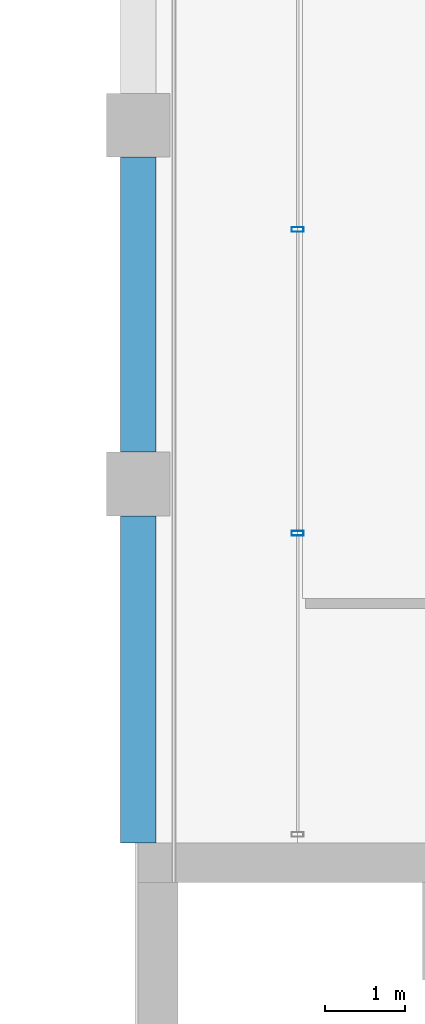
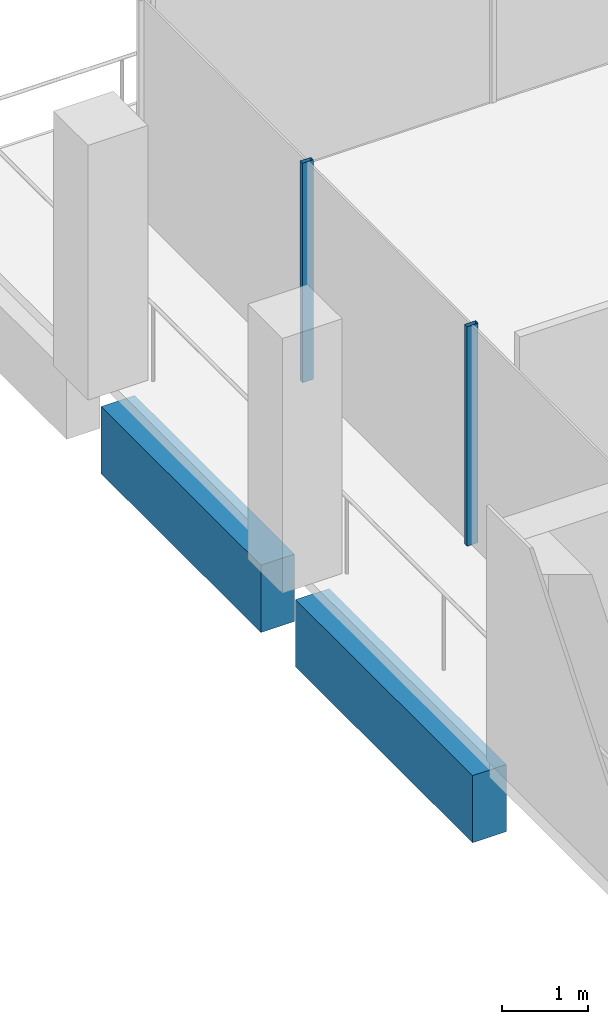
# One storey, part 20 of 30: 2 beams, 2 members, 1 element without a shape of its own.
"""IFC4 building model written with IfcOpenShell, lengths in metres."""

from ifc_helpers import new_model, si_unit, direction, frame, origin, origin_2d, place, context, subcontext, project, spatial, rectangle, hollow_rectangle, extrude, material, material_profile, profile_set, type_object, element, aggregate, save


model = new_model("IFC4")

# Units and contexts
model_context = context("Model", 3, precision=1e-05, world=origin(), true_north=direction((0.0, 1.0)))
body_context = subcontext(model_context, "Body", "Model", "MODEL_VIEW")
ifc_project = project(units=[si_unit("LENGTHUNIT", "METRE"), si_unit("AREAUNIT", "SQUARE_METRE"), si_unit("VOLUMEUNIT", "CUBIC_METRE"), si_unit("PLANEANGLEUNIT", "RADIAN"), si_unit("MASSUNIT", "GRAM", prefix="KILO")], contexts=[model_context])

# Site, building, storey
site_placement = place(None, origin())
site = spatial("IfcSite", under=ifc_project, at=site_placement, CompositionType="ELEMENT")
building_placement = place(site_placement, origin())
building = spatial("IfcBuilding", under=site, at=building_placement, Name="Altepetl Exchange Towers", CompositionType="ELEMENT")
storey_placement = place(building_placement, frame((0.0, 0.0, 235.199951171875)))
storey = spatial("IfcBuildingStorey", under=building, at=storey_placement, Name="L60", CompositionType="ELEMENT", Elevation=235.199951171875)

# Curtain wall, members
ifc_material_1 = material(Name="Aluminium 6063-T6 glazing", Category="aluminium")
curtain_wall_type = type_object("IfcCurtainWallType", Name="Loggia glazing system", PredefinedType="NOTDEFINED", material=ifc_material_1)
curtain_wall_placement = place(storey_placement, origin())
curtain_wall = element("IfcCurtainWall", 1, at=curtain_wall_placement, inside=storey, type_object=curtain_wall_type, Name="CW1 run", PredefinedType="NOTDEFINED")
ifc_material_2 = material(Name="Aluminium 6063-T6", Category="aluminium")
ifc_material_profile_1 = material_profile(ifc_material_2, hollow_rectangle(XDim=0.06005859375, YDim=0.14990234375, WallThickness=0.0029296875, at=origin_2d()), Name="Mullion 60x150 aluminium")
ifc_profile_set_1 = profile_set([ifc_material_profile_1], Name="Aluminium 6063-T6")
member_type = type_object("IfcMemberType", Name="Mullion 60x150 aluminium", PredefinedType="MULLION", material=ifc_profile_set_1)
member_1_placement = place(storey_placement, frame((42.5, 66.191650390625, 0.0), z_axis=(0.0, 0.0, 1.0), x_axis=(0.0, -1.0, 0.0)))
member_1 = element("IfcMember", 2, at=member_1_placement, type_object=member_type, Name="MU1 mullion", PredefinedType="MULLION", context=body_context, shape_type="SweptSolid", body=[
    extrude(hollow_rectangle(XDim=0.06005859375, YDim=0.14990234375, WallThickness=0.0029296875, at=origin_2d()), origin(), (0.0, 0.0, 1.0), 3.10009765625),
])
member_2_placement = place(storey_placement, frame((42.5, 62.38330078125, 0.0), z_axis=(0.0, 0.0, 1.0), x_axis=(0.0, -1.0, 0.0)))
member_2 = element("IfcMember", 3, at=member_2_placement, type_object=member_type, Name="MU1 mullion", PredefinedType="MULLION", context=body_context, shape_type="SweptSolid", body=[
    extrude(hollow_rectangle(XDim=0.06005859375, YDim=0.14990234375, WallThickness=0.0029296875, at=origin_2d()), origin(), (0.0, 0.0, 1.0), 3.10009765625),
])
aggregate(curtain_wall, [member_1, member_2])

# Beams
ifc_material_3 = material(Name="Concrete C50/60 precast with tezontle facing", Category="concrete")
ifc_material_profile_2 = material_profile(ifc_material_3, rectangle(XDim=0.449951171875, YDim=0.949951171875, at=origin_2d()), Name="450 x 950")
ifc_profile_set_2 = profile_set([ifc_material_profile_2], Name="Concrete C50/60 precast with tezontle facing")
beam_type = type_object("IfcBeamType", Name="Spandrel beam 450x950 tezontle", PredefinedType="SPANDREL", material=ifc_profile_set_2)
beam_1_placement = place(storey_placement, frame((40.5, 67.10009765625, -0.625), z_axis=(0.0, -1.0, 0.0), x_axis=(1.0, 0.0, 0.0)))
element("IfcBeam", 4, at=beam_1_placement, inside=storey, type_object=beam_type, Name="sp:A:L60:031", PredefinedType="SPANDREL", context=body_context, shape_type="SweptSolid", body=[
    extrude(rectangle(XDim=0.449951171875, YDim=0.949951171875, at=origin_2d()), origin(), (0.0, 0.0, 1.0), 3.7001953125),
])
beam_2_placement = place(storey_placement, frame((40.5, 62.60009765625, -0.625), z_axis=(0.0, -1.0, 0.0), x_axis=(1.0, 0.0, 0.0)))
element("IfcBeam", 5, at=beam_2_placement, inside=storey, type_object=beam_type, Name="sp:A:L60:032", PredefinedType="SPANDREL", context=body_context, shape_type="SweptSolid", body=[
    extrude(rectangle(XDim=0.449951171875, YDim=0.949951171875, at=origin_2d()), origin(), (0.0, 0.0, 1.0), 4.10009765625),
])

save(model, "model.ifc")
